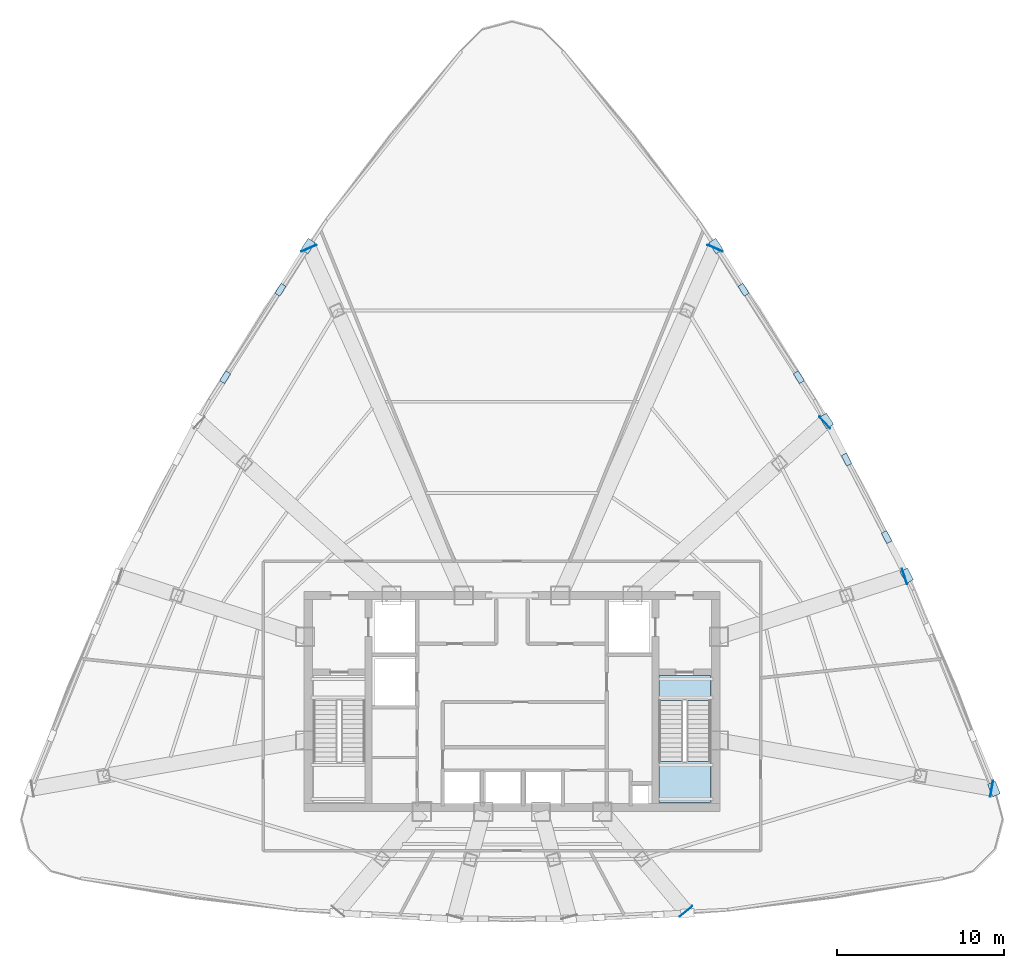
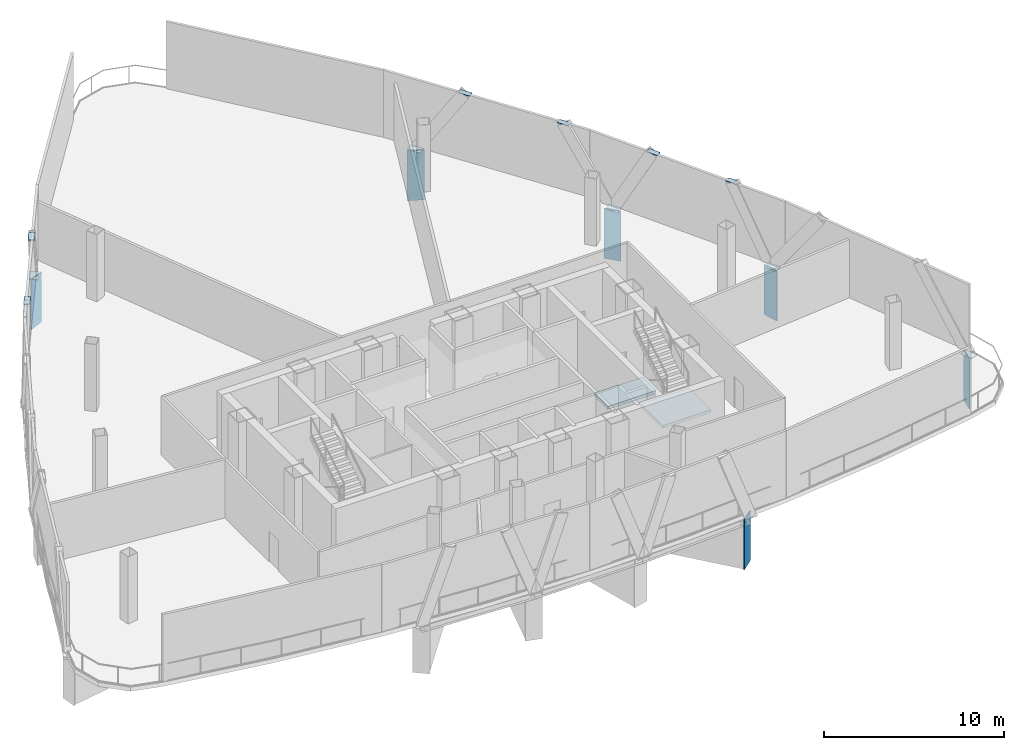
# One storey, part 5 of 12: 17 plates, 2 slabs, 1 element without a shape of its own.
"""IFC4 building model written with IfcOpenShell, lengths in metres."""

from ifc_helpers import new_model, si_unit, direction, frame, origin, origin_2d, place, context, subcontext, project, spatial, polyline, rectangle, outline, extrude, source, transform, mapped, material, layer, layer_set, type_object, element, aggregate, save


model = new_model("IFC4")

# Units and contexts
model_context = context("Model", 3, precision=1e-05, world=origin(), true_north=direction((0.0, 1.0)))
body_context = subcontext(model_context, "Body", "Model", "MODEL_VIEW")
ifc_project = project(units=[si_unit("LENGTHUNIT", "METRE"), si_unit("AREAUNIT", "SQUARE_METRE"), si_unit("VOLUMEUNIT", "CUBIC_METRE"), si_unit("PLANEANGLEUNIT", "RADIAN"), si_unit("MASSUNIT", "GRAM", prefix="KILO"), si_unit("THERMODYNAMICTEMPERATUREUNIT", "KELVIN"), si_unit("POWERUNIT", "WATT")], contexts=[model_context])

# Site, building, storey
site_placement = place(None, origin())
site = spatial("IfcSite", under=ifc_project, at=site_placement, CompositionType="ELEMENT")
building_placement = place(site_placement, origin())
building = spatial("IfcBuilding", under=site, at=building_placement, Name="Yunzhuo Pagoda Commons", CompositionType="ELEMENT")
storey_placement = place(building_placement, frame((0.0, 0.0, 320.7099609375)))
storey = spatial("IfcBuildingStorey", under=building, at=storey_placement, Name="L80", CompositionType="ELEMENT", Elevation=320.7099609375)

# Stair, slabs
ifc_material_1 = material(Name="Concrete C40", Category="concrete")
stair_type = type_object("IfcStairType", Name="ST-C2 Core Smokeproof Stair ST2", PredefinedType="HALF_TURN_STAIR", material=ifc_material_1)
stair_placement = place(storey_placement, origin())
stair = element("IfcStair", 1, at=stair_placement, inside=storey, type_object=stair_type, Name="L80 Core smokeproof stair ST2", PredefinedType="HALF_TURN_STAIR")
ifc_layer_1 = layer(ifc_material_1, 0.201904296875)
ifc_layer_set_1 = layer_set([ifc_layer_1], Name="Concrete C40")
slab_type = type_object("IfcSlabType", Name="SL-LND2 Stair Landing Slab 202", PredefinedType="LANDING", material=ifc_layer_set_1)
slab_1_placement = place(storey_placement, frame((0.0, 0.0, 2.199951171875)))
slab_1 = element("IfcSlab", 2, at=slab_1_placement, type_object=slab_type, Name="ST2 landing 1", PredefinedType="LANDING", context=body_context, shape_type="SweptSolid", body=[
    extrude(outline(polyline([(56.800048828125, 30.260009765625), (56.800048828125, 27.800048828125), (59.89990234375, 27.800048828125), (59.89990234375, 30.260009765625), (56.800048828125, 30.260009765625)])), origin(), (0.0, 0.0, 1.0), 0.2001953125),
])
slab_2_placement = place(storey_placement, frame((0.0, 0.0, -0.199951171875)))
slab_2 = element("IfcSlab", 3, at=slab_2_placement, type_object=slab_type, Name="ST2 floor landing L80", PredefinedType="LANDING", context=body_context, shape_type="SweptSolid", body=[
    extrude(outline(polyline([(56.800048828125, 35.39990234375), (56.800048828125, 33.89990234375), (59.89990234375, 33.89990234375), (59.89990234375, 35.39990234375), (56.800048828125, 35.39990234375)])), origin(), (0.0, 0.0, 1.0), 0.199951171875),
])
aggregate(stair, [slab_1, slab_2])

# Plates
ifc_material_2 = material(Name="Structural steel Q420B", Category="steel")
ifc_layer_2 = layer(ifc_material_2, 0.0400390625)
ifc_layer_set_2 = layer_set([ifc_layer_2], Name="Structural steel Q420B")
plate_type_1 = type_object("IfcPlateType", Name="EP-TR2 Transfer Girder End Cap Plate 980x3540x40", PredefinedType="USERDEFINED", material=ifc_layer_set_2)
shared_shape_1 = source(origin(), body_context, "Body", "SweptSolid", [
    extrude(rectangle(XDim=0.97998046875, YDim=0.0400390625, at=origin_2d()), origin(), (0.0, 0.0, 1.0), 3.389892578125),
])
for number, where, z_axis, x_axis, name in (
    (4, (58.426513671875, 21.2744140625, -3.64990234375), (0.0, 0.0, 1.0), (0.766044443119, 0.642787609687, 0.0), "L80 transfer girder end cap plate F1C4"),
    (5, (76.742431640625, 28.632080078125, -3.64990234375), (0.0, 0.0, 1.0), (0.173648177667, 0.984807753012, 0.0), "L80 transfer girder end cap plate F2C1"),
    (6, (71.521484375, 41.342529296875, -3.64990234375), (0.0, 0.0, 1.0), (-0.309016994375, 0.951056516295, 0.0), "L80 transfer girder end cap plate F2C2"),
    (7, (66.741943359375, 50.5751953125, -3.64990234375), (0.0, 0.0, 1.0), (-0.669130606359, 0.743144825477, 0.0), "L80 transfer girder end cap plate F2C3"),
    (8, (60.16259765625, 61.017333984375, -3.64990234375), (0.0, 0.0, 1.0), (-0.913545457643, 0.406736643076, 0.0), "L80 transfer girder end cap plate F2C4"),
    (9, (35.83740234375, 61.017333984375, -3.64990234375), (0.0, 0.0, 1.0), (-0.913545457643, -0.406736643076, 0.0), "L80 transfer girder end cap plate F3C1"),
):
    element("IfcPlate", number, at=place(storey_placement, frame(where, z_axis=z_axis, x_axis=x_axis)), inside=storey, type_object=plate_type_1, Name=name, ObjectType="END_PLATE", PredefinedType="USERDEFINED", context=body_context, shape_type="MappedRepresentation", body=[
        mapped(shared_shape_1, transform((0.0, 0.0, 0.0), scale=1.0)),
    ])
ifc_material_3 = material(Name="Structural steel Q355B", Category="steel")
ifc_layer_3 = layer(ifc_material_3, 0.028076171875)
ifc_layer_set_3 = layer_set([ifc_layer_3], Name="Structural steel Q355B")
plate_type_2 = type_object("IfcPlateType", Name="SP-ND1 Lattice Node Cap Plate 800x500x28", PredefinedType="USERDEFINED", material=ifc_layer_set_3)
shared_shape_2 = source(origin(), body_context, "Body", "SweptSolid", [
    extrude(rectangle(XDim=0.800048828125, YDim=0.5, at=origin_2d()), origin(), (0.0, 0.0, 1.0), 0.028076171875),
])
for number, where, z_axis, x_axis, name in (
    (10, (76.87744140625, 28.608154296875, -0.2939453125), (0.0, 0.0, 1.0), (-0.378567847265, 0.925573543819, 0.0), "L80 diamond node plate F2.1A"),
    (11, (71.651611328125, 41.385009765625, -0.2939453125), (0.0, 0.0, 1.0), (-0.459951842017, 0.887943862541, 0.0), "L80 diamond node plate F2.2A"),
    (12, (66.84375, 50.6669921875, -0.2939453125), (0.0, 0.0, 1.0), (-0.534529368893, 0.84514990019, 0.0), "L80 diamond node plate F2.3A"),
    (13, (60.21826171875, 61.142578125, -0.2939453125), (0.0, 0.0, 1.0), (-0.534529368893, 0.84514990019, 0.0), "L80 diamond node plate F2.3B"),
    (14, (35.78173828125, 61.142578125, -0.2939453125), (0.0, 0.0, 1.0), (-0.534529368893, -0.84514990019, 0.0), "L80 diamond node plate F3.1A"),
):
    element("IfcPlate", number, at=place(storey_placement, frame(where, z_axis=z_axis, x_axis=x_axis)), inside=storey, type_object=plate_type_2, Name=name, ObjectType="STIFFENER_PLATE", PredefinedType="USERDEFINED", context=body_context, shape_type="MappedRepresentation", body=[
        mapped(shared_shape_2, transform((0.0, 0.0, 0.0), scale=1.0)),
    ])
shared_shape_3 = source(origin(), body_context, "Body", "SweptSolid", [
    extrude(rectangle(XDim=0.699951171875, YDim=0.35009765625, at=origin_2d()), origin(), (0.0, 0.0, 1.0), 0.035888671875),
])
for number, where, z_axis, x_axis, name in (
    (15, (70.44970703125, 43.705322265625, 4.501953125), (0.0, 0.0, 1.0), (-0.459951842017, 0.887943862541, 0.0), "L80 setback lattice tie plate F2.2L"),
    (16, (68.045654296875, 48.346435546875, 4.501953125), (0.0, 0.0, 1.0), (-0.459951842017, 0.887943862541, 0.0), "L80 setback lattice tie plate F2.2R"),
    (17, (65.187255859375, 53.285888671875, 4.501953125), (0.0, 0.0, 1.0), (-0.534529368893, 0.84514990019, 0.0), "L80 setback lattice tie plate F2.3L"),
    (18, (61.87451171875, 58.523681640625, 4.501953125), (0.0, 0.0, 1.0), (-0.534529368893, 0.84514990019, 0.0), "L80 setback lattice tie plate F2.3R"),
    (19, (34.12548828125, 58.523681640625, 4.501953125), (0.0, 0.0, 1.0), (-0.534529368893, -0.84514990019, 0.0), "L80 setback lattice tie plate F3.1L"),
    (20, (30.812744140625, 53.285888671875, 4.501953125), (0.0, 0.0, 1.0), (-0.534529368893, -0.84514990019, 0.0), "L80 setback lattice tie plate F3.1R"),
):
    element("IfcPlate", number, at=place(storey_placement, frame(where, z_axis=z_axis, x_axis=x_axis)), inside=storey, type_object=plate_type_2, Name=name, ObjectType="STIFFENER_PLATE", PredefinedType="USERDEFINED", context=body_context, shape_type="MappedRepresentation", body=[
        mapped(shared_shape_3, transform((0.0, 0.0, 0.0), scale=1.0)),
    ])

save(model, "model.ifc")
